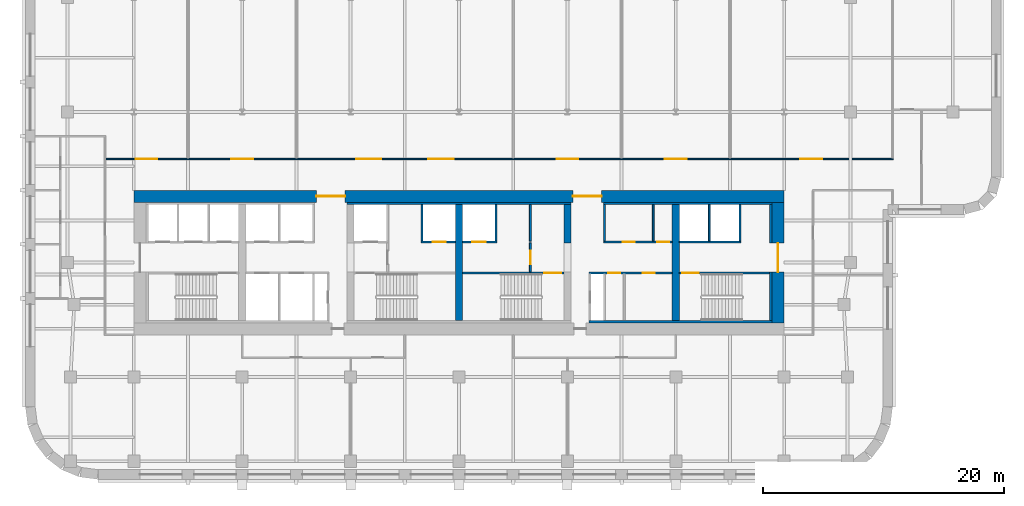
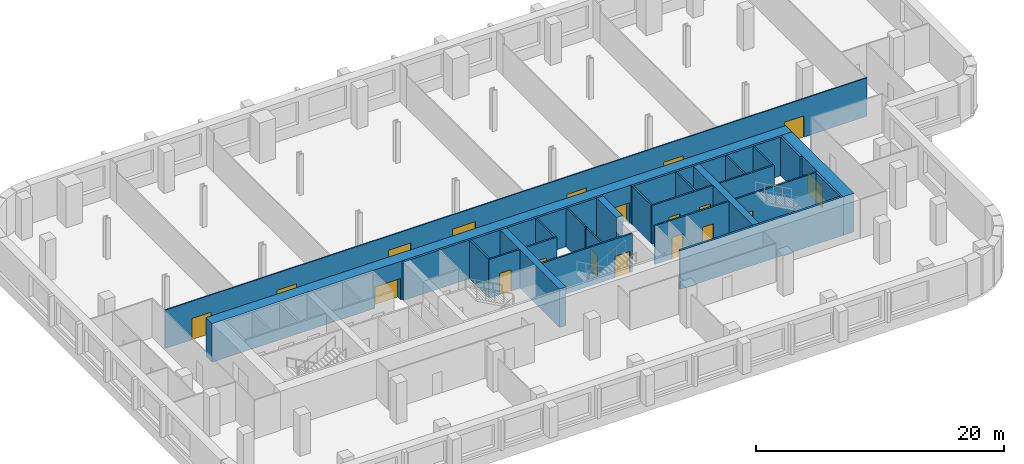
# One storey, part 5 of 9: 26 walls, 19 doors, 19 openings.
"""IFC4 building model written with IfcOpenShell, lengths in metres."""

from ifc_helpers import new_model, si_unit, direction, frame, frame_2d, origin, place, context, subcontext, project, spatial, rectangle, extrude, material, layer, layer_set, type_object, element, fill, save


model = new_model("IFC4")

# Units and contexts
model_context = context("Model", 3, precision=1e-05, world=origin(), true_north=direction((0.0, 1.0)))
body_context = subcontext(model_context, "Body", "Model", "MODEL_VIEW")
ifc_project = project(units=[si_unit("LENGTHUNIT", "METRE"), si_unit("AREAUNIT", "SQUARE_METRE"), si_unit("VOLUMEUNIT", "CUBIC_METRE"), si_unit("PLANEANGLEUNIT", "RADIAN"), si_unit("MASSUNIT", "GRAM", prefix="KILO")], contexts=[model_context])

# Site, building, storey
site_placement = place(None, origin())
site = spatial("IfcSite", under=ifc_project, at=site_placement, CompositionType="ELEMENT")
building_placement = place(site_placement, origin())
building = spatial("IfcBuilding", under=site, at=building_placement, Name="Zellij Exchange Tower", CompositionType="ELEMENT")
storey_placement = place(building_placement, frame((0.0, 0.0, 136.5)))
storey = spatial("IfcBuildingStorey", under=building, at=storey_placement, Name="L30", CompositionType="ELEMENT", Elevation=136.5)

# Walls
ifc_material_1 = material(Name="Concrete C70/85", Category="concrete")
ifc_layer_1 = layer(ifc_material_1, 0.60009765625)
ifc_layer_set_1 = layer_set([ifc_layer_1], Name="Concrete C70/85")
wall_type_1 = type_object("IfcWallType", Name="CORE-CW 600 C70/85", PredefinedType="SHEAR", material=ifc_layer_set_1)
wall_1_placement = place(storey_placement, frame((0.0, -12.800048828125, 0.0), z_axis=(0.0, 0.0, 1.0), x_axis=(0.0, 1.0, 0.0)))
element("IfcWall", 1, at=wall_1_placement, inside=storey, type_object=wall_type_1, Name="Core cross wall x 0 L30", PredefinedType="SHEAR", context=body_context, shape_type="SweptSolid", body=[
    extrude(rectangle(XDim=9.60009765625, YDim=0.60009765625, at=frame_2d((4.800048828125, 0.0))), origin(), (0.0, 0.0, 1.0), 3.800048828125),
])
wall_2_placement = place(storey_placement, frame((9.0, -6.375, 0.0), z_axis=(0.0, 0.0, 1.0), x_axis=(0.0, 1.0, 0.0)))
element("IfcWall", 2, at=wall_2_placement, inside=storey, type_object=wall_type_1, Name="Core cross wall pier x 9 b L30", PredefinedType="SHEAR", context=body_context, shape_type="SweptSolid", body=[
    extrude(rectangle(XDim=3.175048828125, YDim=0.60009765625, at=frame_2d((1.58740234375, 0.0))), origin(), (0.0, 0.0, 1.0), 3.800048828125),
])
wall_3_placement = place(storey_placement, frame((18.0, -12.800048828125, 0.0), z_axis=(0.0, 0.0, 1.0), x_axis=(0.0, 1.0, 0.0)))
element("IfcWall", 3, at=wall_3_placement, inside=storey, type_object=wall_type_1, Name="Core cross wall x 18 L30", PredefinedType="SHEAR", context=body_context, shape_type="SweptSolid", body=[
    extrude(rectangle(XDim=9.60009765625, YDim=0.60009765625, at=frame_2d((4.800048828125, 0.0))), origin(), (0.0, 0.0, 1.0), 3.800048828125),
])
ifc_material_2 = material(Name="Concrete C30/37", Category="concrete")
ifc_layer_2 = layer(ifc_material_2, 0.199951171875)
ifc_layer_set_2 = layer_set([ifc_layer_2], Name="Concrete C30/37")
wall_type_2 = type_object("IfcWallType", Name="CORE-LW 200 C30/37", PredefinedType="SHEAR", material=ifc_layer_set_2)
wall_4_placement = place(storey_placement, frame((-9.300048828125, -3.10009765625, 0.0), z_axis=(0.0, 0.0, 1.0), x_axis=(1.0, 0.0, 0.0)))
element("IfcWall", 4, at=wall_4_placement, inside=storey, type_object=wall_type_2, Name="Core wall lining front.1 L30", PredefinedType="SHEAR", context=body_context, shape_type="SweptSolid", body=[
    extrude(rectangle(XDim=18.60009765625, YDim=0.199951171875, at=frame_2d((9.300048828125, 0.0))), origin(), (0.0, 0.0, 1.0), 3.800048828125),
])
wall_5_placement = place(storey_placement, frame((12.0, -3.10009765625, 0.0), z_axis=(0.0, 0.0, 1.0), x_axis=(1.0, 0.0, 0.0)))
element("IfcWall", 5, at=wall_5_placement, inside=storey, type_object=wall_type_2, Name="Core wall lining front.2 L30", PredefinedType="SHEAR", context=body_context, shape_type="SweptSolid", body=[
    extrude(rectangle(XDim=14.0, YDim=0.199951171875, at=frame_2d((7.0, 0.0))), origin(), (0.0, 0.0, 1.0), 3.800048828125),
])
wall_6_placement = place(storey_placement, frame((10.800048828125, -12.89990234375, 0.0), z_axis=(0.0, 0.0, 1.0), x_axis=(1.0, 0.0, 0.0)))
element("IfcWall", 6, at=wall_6_placement, inside=storey, type_object=wall_type_2, Name="Core wall lining rear.2 L30", PredefinedType="SHEAR", context=body_context, shape_type="SweptSolid", body=[
    extrude(rectangle(XDim=15.199951171875, YDim=0.199951171875, at=frame_2d((7.60009765625, 0.0))), origin(), (0.0, 0.0, 1.0), 3.800048828125),
])
wall_7_placement = place(storey_placement, frame((25.89990234375, -12.800048828125, 0.0), z_axis=(0.0, 0.0, 1.0), x_axis=(0.0, 1.0, 0.0)))
element("IfcWall", 7, at=wall_7_placement, inside=storey, type_object=wall_type_2, Name="Core wall lining end e.0 L30", PredefinedType="SHEAR", context=body_context, shape_type="SweptSolid", body=[
    extrude(rectangle(XDim=4.0, YDim=0.199951171875, at=frame_2d((2.0, 0.0))), origin(), (0.0, 0.0, 1.0), 3.800048828125),
])
wall_8_placement = place(storey_placement, frame((25.89990234375, -6.375, 0.0), z_axis=(0.0, 0.0, 1.0), x_axis=(0.0, 1.0, 0.0)))
element("IfcWall", 8, at=wall_8_placement, inside=storey, type_object=wall_type_2, Name="Core wall lining end e.1 L30", PredefinedType="SHEAR", context=body_context, shape_type="SweptSolid", body=[
    extrude(rectangle(XDim=3.175048828125, YDim=0.199951171875, at=frame_2d((1.58740234375, 0.0))), origin(), (0.0, 0.0, 1.0), 3.800048828125),
])

# Wall, opening, door
ifc_material_3 = material(Name="Gypsum shaft wall system")
ifc_layer_3 = layer(ifc_material_3, 0.14990234375)
ifc_layer_set_3 = layer_set([ifc_layer_3], Name="Gypsum shaft wall system")
wall_type_3 = type_object("IfcWallType", Name="CORE-PW 150 Firefighting lobby wall", PredefinedType="PARTITIONING", material=ifc_layer_set_3)
wall_9_placement = place(storey_placement, frame((5.925048828125, -8.800048828125, 0.0), z_axis=(0.0, 0.0, 1.0), x_axis=(0.0, 1.0, 0.0)))
wall_9 = element("IfcWall", 9, at=wall_9_placement, inside=storey, type_object=wall_type_3, Name="Firefighting lobby wall L30", PredefinedType="PARTITIONING", context=body_context, shape_type="SweptSolid", body=[
    extrude(rectangle(XDim=2.425048828125, YDim=0.14990234375, at=frame_2d((1.21240234375, 0.0))), origin(), (0.0, 0.0, 1.0), 3.800048828125),
])
opening_1_placement = place(wall_9_placement, frame((0.662109375, 0.0, 0.0)))
opening_1 = element("IfcOpeningElement", 10, at=opening_1_placement, cuts=wall_9, Name="Opening CA-16.18", PredefinedType="OPENING", context=body_context, shape_type="SweptSolid", body=[
    extrude(rectangle(XDim=1.10009765625, YDim=2.10009765625, at=frame_2d((0.550048828125, 1.050048828125))), frame((0.0, 0.0869140625, 0.0), z_axis=(0.0, -1.0, 0.0), x_axis=(1.0, 0.0, 0.0)), (0.0, 0.0, 1.0), 0.173828125),
])
ifc_material_4 = material(Name="Hollow metal fire door")
door_type_1 = type_object("IfcDoorType", Name="CORE-D F Firefighting lobby door 1100x2100 1 HR", OperationType="NOTDEFINED", PredefinedType="DOOR", material=ifc_material_4)
door_1_placement = place(opening_1_placement, origin())
door_1 = element("IfcDoor", 11, at=door_1_placement, inside=storey, type_object=door_type_1, Name="Firefighting lobby door CA-16.18", OperationType="SINGLE_SWING_RIGHT", OverallHeight=2.10009765625, OverallWidth=1.10009765625, PredefinedType="DOOR", context=body_context, shape_type="SweptSolid", body=[
    extrude(rectangle(XDim=1.10009765625, YDim=2.10009765625, at=frame_2d((0.550048828125, 1.050048828125))), frame((0.0, 0.02490234375, 0.0), z_axis=(0.0, -1.0, 0.0), x_axis=(1.0, 0.0, 0.0)), (0.0, 0.0, 1.0), 0.050048828125),
])
fill(opening_1, door_1)

# Walls
ifc_material_5 = material(Name="Gypsum board partition")
ifc_layer_4 = layer(ifc_material_5, 0.14990234375)
ifc_layer_set_4 = layer_set([ifc_layer_4], Name="Gypsum board partition")
wall_type_4 = type_object("IfcWallType", Name="CORE-PW 150 Lift lobby wall", PredefinedType="PARTITIONING", material=ifc_layer_set_4)
for number, where, z_axis, x_axis, name in (
    (12, (5.925048828125, -6.22509765625, 0.0), (0.0, 0.0, 1.0), (0.0, 1.0, 0.0), "Lift lobby wall L30"),
    (13, (12.074951171875, -6.22509765625, 0.0), (0.0, 0.0, 1.0), (0.0, 1.0, 0.0), "Lift lobby wall L30"),
    (14, (16.125, -6.22509765625, 0.0), (0.0, 0.0, 1.0), (0.0, 1.0, 0.0), "Lift lobby wall L30"),
):
    element("IfcWall", number, at=place(storey_placement, frame(where, z_axis=z_axis, x_axis=x_axis)), inside=storey, type_object=wall_type_4, Name=name, PredefinedType="PARTITIONING", context=body_context, shape_type="SweptSolid", body=[
        extrude(rectangle(XDim=3.025146484375, YDim=0.14990234375, at=frame_2d((1.5126953125, 0.0))), origin(), (0.0, 0.0, 1.0), 3.800048828125),
    ])

# Wall, openings, doors
wall_10_placement = place(storey_placement, frame((12.0, -6.300048828125, 0.0), z_axis=(0.0, 0.0, 1.0), x_axis=(1.0, 0.0, 0.0)))
wall_10 = element("IfcWall", 15, at=wall_10_placement, inside=storey, type_object=wall_type_4, Name="Lift lobby wall L30", PredefinedType="PARTITIONING", context=body_context, shape_type="SweptSolid", body=[
    extrude(rectangle(XDim=5.699951171875, YDim=0.14990234375, at=frame_2d((2.85009765625, 0.0))), origin(), (0.0, 0.0, 1.0), 3.800048828125),
])
opening_2_placement = place(wall_10_placement, frame((1.60009765625, 0.0, 0.0)))
opening_2 = element("IfcOpeningElement", 16, at=opening_2_placement, cuts=wall_10, Name="Opening CA-16.24", PredefinedType="OPENING", context=body_context, shape_type="SweptSolid", body=[
    extrude(rectangle(XDim=1.0, YDim=2.10009765625, at=frame_2d((0.5, 1.050048828125))), frame((0.0, 0.0869140625, 0.0), z_axis=(0.0, -1.0, 0.0), x_axis=(1.0, 0.0, 0.0)), (0.0, 0.0, 1.0), 0.173828125),
])
opening_3_placement = place(wall_10_placement, frame((4.449951171875, 0.0, 0.0)))
opening_3 = element("IfcOpeningElement", 17, at=opening_3_placement, cuts=wall_10, Name="Opening CA-16.26", PredefinedType="OPENING", context=body_context, shape_type="SweptSolid", body=[
    extrude(rectangle(XDim=1.0, YDim=2.10009765625, at=frame_2d((0.5, 1.050048828125))), frame((0.0, 0.0869140625, 0.0), z_axis=(0.0, -1.0, 0.0), x_axis=(1.0, 0.0, 0.0)), (0.0, 0.0, 1.0), 0.173828125),
])
door_type_2 = type_object("IfcDoorType", Name="CORE-D CD Core room door 1000x2100 1 HR", OperationType="NOTDEFINED", PredefinedType="DOOR", material=ifc_material_4)
door_2_placement = place(opening_2_placement, origin())
door_2 = element("IfcDoor", 18, at=door_2_placement, inside=storey, type_object=door_type_2, Name="Core room door CA-16.24", OperationType="SINGLE_SWING_LEFT", OverallHeight=2.10009765625, OverallWidth=1.0, PredefinedType="DOOR", context=body_context, shape_type="SweptSolid", body=[
    extrude(rectangle(XDim=1.0, YDim=2.10009765625, at=frame_2d((0.5, 1.050048828125))), frame((0.0, 0.02490234375, 0.0), z_axis=(0.0, -1.0, 0.0), x_axis=(1.0, 0.0, 0.0)), (0.0, 0.0, 1.0), 0.050048828125),
])
fill(opening_2, door_2)
door_3_placement = place(opening_3_placement, origin())
door_3 = element("IfcDoor", 19, at=door_3_placement, inside=storey, type_object=door_type_2, Name="Core room door CA-16.26", OperationType="SINGLE_SWING_RIGHT", OverallHeight=2.10009765625, OverallWidth=1.0, PredefinedType="DOOR", context=body_context, shape_type="SweptSolid", body=[
    extrude(rectangle(XDim=1.0, YDim=2.10009765625, at=frame_2d((0.5, 1.050048828125))), frame((0.0, 0.02490234375, 0.0), z_axis=(0.0, -1.0, 0.0), x_axis=(1.0, 0.0, 0.0)), (0.0, 0.0, 1.0), 0.050048828125),
])
fill(opening_3, door_3)

wall_11_placement = place(storey_placement, frame((10.800048828125, -8.875, 0.0), z_axis=(0.0, 0.0, 1.0), x_axis=(1.0, 0.0, 0.0)))
wall_11 = element("IfcWall", 20, at=wall_11_placement, inside=storey, type_object=wall_type_4, Name="Lift lobby wall L30", PredefinedType="PARTITIONING", context=body_context, shape_type="SweptSolid", body=[
    extrude(rectangle(XDim=6.89990234375, YDim=0.14990234375, at=frame_2d((3.449951171875, 0.0))), origin(), (0.0, 0.0, 1.0), 3.800048828125),
])
opening_4_placement = place(wall_11_placement, frame((1.60009765625, 0.0, 0.0)))
opening_4 = element("IfcOpeningElement", 21, at=opening_4_placement, cuts=wall_11, Name="Opening CA-16.23", PredefinedType="OPENING", context=body_context, shape_type="SweptSolid", body=[
    extrude(rectangle(XDim=1.0, YDim=2.10009765625, at=frame_2d((0.5, 1.050048828125))), frame((0.0, 0.0869140625, 0.0), z_axis=(0.0, -1.0, 0.0), x_axis=(1.0, 0.0, 0.0)), (0.0, 0.0, 1.0), 0.173828125),
])
opening_5_placement = place(wall_11_placement, frame((4.449951171875, 0.0, 0.0)))
opening_5 = element("IfcOpeningElement", 22, at=opening_5_placement, cuts=wall_11, Name="Opening CA-16.25", PredefinedType="OPENING", context=body_context, shape_type="SweptSolid", body=[
    extrude(rectangle(XDim=1.0, YDim=2.10009765625, at=frame_2d((0.5, 1.050048828125))), frame((0.0, 0.0869140625, 0.0), z_axis=(0.0, -1.0, 0.0), x_axis=(1.0, 0.0, 0.0)), (0.0, 0.0, 1.0), 0.173828125),
])
door_4_placement = place(opening_4_placement, origin())
door_4 = element("IfcDoor", 23, at=door_4_placement, inside=storey, type_object=door_type_2, Name="Core room door CA-16.23", OperationType="SINGLE_SWING_RIGHT", OverallHeight=2.10009765625, OverallWidth=1.0, PredefinedType="DOOR", context=body_context, shape_type="SweptSolid", body=[
    extrude(rectangle(XDim=1.0, YDim=2.10009765625, at=frame_2d((0.5, 1.050048828125))), frame((0.0, 0.02490234375, 0.0), z_axis=(0.0, -1.0, 0.0), x_axis=(1.0, 0.0, 0.0)), (0.0, 0.0, 1.0), 0.050048828125),
])
fill(opening_4, door_4)
door_5_placement = place(opening_5_placement, origin())
door_5 = element("IfcDoor", 24, at=door_5_placement, inside=storey, type_object=door_type_2, Name="Core room door CA-16.25", OperationType="SINGLE_SWING_LEFT", OverallHeight=2.10009765625, OverallWidth=1.0, PredefinedType="DOOR", context=body_context, shape_type="SweptSolid", body=[
    extrude(rectangle(XDim=1.0, YDim=2.10009765625, at=frame_2d((0.5, 1.050048828125))), frame((0.0, 0.02490234375, 0.0), z_axis=(0.0, -1.0, 0.0), x_axis=(1.0, 0.0, 0.0)), (0.0, 0.0, 1.0), 0.050048828125),
])
fill(opening_5, door_5)

# Walls
ifc_layer_5 = layer(ifc_material_3, 0.14990234375)
ifc_layer_set_5 = layer_set([ifc_layer_5], Name="Gypsum shaft wall system")
wall_type_5 = type_object("IfcWallType", Name="CORE-PW 150 Lift shaft wall", PredefinedType="PARTITIONING", material=ifc_layer_set_5)
for number, where, z_axis, x_axis, name in (
    (25, (-3.074951171875, -6.22509765625, 0.0), (0.0, 0.0, 1.0), (0.0, 1.0, 0.0), "Lift shaft wall L30"),
    (26, (3.074951171875, -6.22509765625, 0.0), (0.0, 0.0, 1.0), (0.0, 1.0, 0.0), "Lift shaft wall L30"),
    (27, (20.77490234375, -6.22509765625, 0.0), (0.0, 0.0, 1.0), (0.0, 1.0, 0.0), "Lift shaft wall L30"),
    (28, (23.324951171875, -6.22509765625, 0.0), (0.0, 0.0, 1.0), (0.0, 1.0, 0.0), "Lift shaft wall L30"),
):
    element("IfcWall", number, at=place(storey_placement, frame(where, z_axis=z_axis, x_axis=x_axis)), inside=storey, type_object=wall_type_5, Name=name, PredefinedType="PARTITIONING", context=body_context, shape_type="SweptSolid", body=[
        extrude(rectangle(XDim=3.025146484375, YDim=0.14990234375, at=frame_2d((1.5126953125, 0.0))), origin(), (0.0, 0.0, 1.0), 3.800048828125),
    ])

# Wall, opening, door
wall_12_placement = place(storey_placement, frame((-3.14990234375, -6.300048828125, 0.0), z_axis=(0.0, 0.0, 1.0), x_axis=(1.0, 0.0, 0.0)))
wall_12 = element("IfcWall", 29, at=wall_12_placement, inside=storey, type_object=wall_type_5, Name="Lift shaft wall L30", PredefinedType="PARTITIONING", context=body_context, shape_type="SweptSolid", body=[
    extrude(rectangle(XDim=2.849853515625, YDim=0.14990234375, at=frame_2d((1.4248046875, 0.0))), origin(), (0.0, 0.0, 1.0), 3.800048828125),
])
opening_6_placement = place(wall_12_placement, frame((0.949951171875, 0.0, 0.0)))
opening_6 = element("IfcOpeningElement", 30, at=opening_6_placement, cuts=wall_12, Name="Opening CA-16.16", PredefinedType="OPENING", context=body_context, shape_type="SweptSolid", body=[
    extrude(rectangle(XDim=1.10009765625, YDim=2.10009765625, at=frame_2d((0.550048828125, 1.050048828125))), frame((0.0, 0.0869140625, 0.0), z_axis=(0.0, -1.0, 0.0), x_axis=(1.0, 0.0, 0.0)), (0.0, 0.0, 1.0), 0.173828125),
])
door_type_3 = type_object("IfcDoorType", Name="CORE-D LD Lift landing door 1100x2100 1.5 HR", OperationType="NOTDEFINED", PredefinedType="DOOR", material=ifc_material_4)
door_6_placement = place(opening_6_placement, origin())
door_6 = element("IfcDoor", 31, at=door_6_placement, inside=storey, type_object=door_type_3, Name="Lift landing door CA-16.16", OperationType="SLIDING_TO_RIGHT", OverallHeight=2.10009765625, OverallWidth=1.10009765625, PredefinedType="DOOR", context=body_context, shape_type="SweptSolid", body=[
    extrude(rectangle(XDim=1.10009765625, YDim=2.10009765625, at=frame_2d((0.550048828125, 1.050048828125))), frame((0.0, 0.02490234375, 0.0), z_axis=(0.0, -1.0, 0.0), x_axis=(1.0, 0.0, 0.0)), (0.0, 0.0, 1.0), 0.050048828125),
])
fill(opening_6, door_6)

wall_13_placement = place(storey_placement, frame((0.300048828125, -6.300048828125, 0.0), z_axis=(0.0, 0.0, 1.0), x_axis=(1.0, 0.0, 0.0)))
wall_13 = element("IfcWall", 32, at=wall_13_placement, inside=storey, type_object=wall_type_5, Name="Lift shaft wall L30", PredefinedType="PARTITIONING", context=body_context, shape_type="SweptSolid", body=[
    extrude(rectangle(XDim=2.849853515625, YDim=0.14990234375, at=frame_2d((1.4248046875, 0.0))), origin(), (0.0, 0.0, 1.0), 3.800048828125),
])
opening_7_placement = place(wall_13_placement, frame((0.800048828125, 0.0, 0.0)))
opening_7 = element("IfcOpeningElement", 33, at=opening_7_placement, cuts=wall_13, Name="Opening CA-16.17", PredefinedType="OPENING", context=body_context, shape_type="SweptSolid", body=[
    extrude(rectangle(XDim=1.10009765625, YDim=2.10009765625, at=frame_2d((0.550048828125, 1.050048828125))), frame((0.0, 0.0869140625, 0.0), z_axis=(0.0, -1.0, 0.0), x_axis=(1.0, 0.0, 0.0)), (0.0, 0.0, 1.0), 0.173828125),
])
door_7_placement = place(opening_7_placement, origin())
door_7 = element("IfcDoor", 34, at=door_7_placement, inside=storey, type_object=door_type_3, Name="Lift landing door CA-16.17", OperationType="SLIDING_TO_LEFT", OverallHeight=2.10009765625, OverallWidth=1.10009765625, PredefinedType="DOOR", context=body_context, shape_type="SweptSolid", body=[
    extrude(rectangle(XDim=1.10009765625, YDim=2.10009765625, at=frame_2d((0.550048828125, 1.050048828125))), frame((0.0, 0.02490234375, 0.0), z_axis=(0.0, -1.0, 0.0), x_axis=(1.0, 0.0, 0.0)), (0.0, 0.0, 1.0), 0.050048828125),
])
fill(opening_7, door_7)

# Wall
wall_14_placement = place(storey_placement, frame((18.300048828125, -6.300048828125, 0.0), z_axis=(0.0, 0.0, 1.0), x_axis=(1.0, 0.0, 0.0)))
element("IfcWall", 35, at=wall_14_placement, inside=storey, type_object=wall_type_5, Name="Lift shaft wall L30", PredefinedType="PARTITIONING", context=body_context, shape_type="SweptSolid", body=[
    extrude(rectangle(XDim=5.099853515625, YDim=0.14990234375, at=frame_2d((2.5498046875, 0.0))), origin(), (0.0, 0.0, 1.0), 3.800048828125),
])

# Wall, openings, doors
ifc_layer_6 = layer(ifc_material_1, 1.0)
ifc_layer_set_6 = layer_set([ifc_layer_6], Name="Concrete C70/85")
wall_type_6 = type_object("IfcWallType", Name="CORE-SW 1000 C70/85", PredefinedType="SHEAR", material=ifc_layer_set_6)
wall_15_placement = place(storey_placement, frame((-27.0, -2.5, 0.0), z_axis=(0.0, 0.0, 1.0), x_axis=(1.0, 0.0, 0.0)))
wall_15 = element("IfcWall", 36, at=wall_15_placement, inside=storey, type_object=wall_type_6, Name="Core shear wall front L30", PredefinedType="SHEAR", context=body_context, shape_type="SweptSolid", body=[
    extrude(rectangle(XDim=54.0, YDim=1.0, at=frame_2d((27.0, 0.0))), origin(), (0.0, 0.0, 1.0), 3.800048828125),
])
opening_8_placement = place(wall_15_placement, frame((15.14990234375, 0.0, 0.0)))
opening_8 = element("IfcOpeningElement", 37, at=opening_8_placement, cuts=wall_15, Name="Opening CA-16.11", PredefinedType="OPENING", context=body_context, shape_type="SweptSolid", body=[
    extrude(rectangle(XDim=2.39990234375, YDim=2.10009765625, at=frame_2d((1.199951171875, 1.050048828125))), frame((0.0, 0.511962890625, 0.0), z_axis=(0.0, -1.0, 0.0), x_axis=(1.0, 0.0, 0.0)), (0.0, 0.0, 1.0), 1.02392578125),
])
opening_9_placement = place(wall_15_placement, frame((36.449951171875, 0.0, 0.0)))
opening_9 = element("IfcOpeningElement", 38, at=opening_9_placement, cuts=wall_15, Name="Opening CA-16.21", PredefinedType="OPENING", context=body_context, shape_type="SweptSolid", body=[
    extrude(rectangle(XDim=2.39990234375, YDim=2.10009765625, at=frame_2d((1.199951171875, 1.050048828125))), frame((0.0, 0.511962890625, 0.0), z_axis=(0.0, -1.0, 0.0), x_axis=(1.0, 0.0, 0.0)), (0.0, 0.0, 1.0), 1.02392578125),
])
door_type_4 = type_object("IfcDoorType", Name="CORE-D CE Core entrance door 2400x2100 20 MIN", OperationType="NOTDEFINED", PredefinedType="DOOR", material=ifc_material_4)
door_8_placement = place(opening_8_placement, origin())
door_8 = element("IfcDoor", 39, at=door_8_placement, inside=storey, type_object=door_type_4, Name="Core entrance door CA-16.11", OperationType="DOUBLE_DOOR_SINGLE_SWING", OverallHeight=2.10009765625, OverallWidth=2.39990234375, PredefinedType="DOOR", context=body_context, shape_type="SweptSolid", body=[
    extrude(rectangle(XDim=2.39990234375, YDim=2.10009765625, at=frame_2d((1.199951171875, 1.050048828125))), frame((0.0, 0.02490234375, 0.0), z_axis=(0.0, -1.0, 0.0), x_axis=(1.0, 0.0, 0.0)), (0.0, 0.0, 1.0), 0.050048828125),
])
fill(opening_8, door_8)
door_9_placement = place(opening_9_placement, origin())
door_9 = element("IfcDoor", 40, at=door_9_placement, inside=storey, type_object=door_type_4, Name="Core entrance door CA-16.21", OperationType="DOUBLE_DOOR_SINGLE_SWING", OverallHeight=2.10009765625, OverallWidth=2.39990234375, PredefinedType="DOOR", context=body_context, shape_type="SweptSolid", body=[
    extrude(rectangle(XDim=2.39990234375, YDim=2.10009765625, at=frame_2d((1.199951171875, 1.050048828125))), frame((0.0, 0.02490234375, 0.0), z_axis=(0.0, -1.0, 0.0), x_axis=(1.0, 0.0, 0.0)), (0.0, 0.0, 1.0), 0.050048828125),
])
fill(opening_9, door_9)

# Wall, opening, door
wall_16_placement = place(storey_placement, frame((26.5, -13.0, 0.0), z_axis=(0.0, 0.0, 1.0), x_axis=(0.0, 1.0, 0.0)))
wall_16 = element("IfcWall", 41, at=wall_16_placement, inside=storey, type_object=wall_type_6, Name="Core shear wall end e L30", PredefinedType="SHEAR", context=body_context, shape_type="SweptSolid", body=[
    extrude(rectangle(XDim=10.0, YDim=1.0, at=frame_2d((5.0, 0.0))), origin(), (0.0, 0.0, 1.0), 3.800048828125),
])
opening_10_placement = place(wall_16_placement, frame((4.2119140625, 0.0, 0.0)))
opening_10 = element("IfcOpeningElement", 42, at=opening_10_placement, cuts=wall_16, Name="Opening CA-16.28", PredefinedType="OPENING", context=body_context, shape_type="SweptSolid", body=[
    extrude(rectangle(XDim=2.39990234375, YDim=2.10009765625, at=frame_2d((1.199951171875, 1.050048828125))), frame((0.0, 0.511962890625, 0.0), z_axis=(0.0, -1.0, 0.0), x_axis=(1.0, 0.0, 0.0)), (0.0, 0.0, 1.0), 1.02392578125),
])
door_10_placement = place(opening_10_placement, origin())
door_10 = element("IfcDoor", 43, at=door_10_placement, inside=storey, type_object=door_type_4, Name="Core entrance door CA-16.28", OperationType="DOUBLE_DOOR_SINGLE_SWING", OverallHeight=2.10009765625, OverallWidth=2.39990234375, PredefinedType="DOOR", context=body_context, shape_type="SweptSolid", body=[
    extrude(rectangle(XDim=2.39990234375, YDim=2.10009765625, at=frame_2d((1.199951171875, 1.050048828125))), frame((0.0, 0.02490234375, 0.0), z_axis=(0.0, -1.0, 0.0), x_axis=(1.0, 0.0, 0.0)), (0.0, 0.0, 1.0), 0.050048828125),
])
fill(opening_10, door_10)

ifc_layer_7 = layer(ifc_material_1, 0.14990234375)
ifc_layer_set_7 = layer_set([ifc_layer_7], Name="Concrete C70/85")
wall_type_7 = type_object("IfcWallType", Name="CORE-SWS 150 C70/85", PredefinedType="SHEAR", material=ifc_layer_set_7)
wall_17_placement = place(storey_placement, frame((0.300048828125, -8.875, 0.0), z_axis=(0.0, 0.0, 1.0), x_axis=(1.0, 0.0, 0.0)))
wall_17 = element("IfcWall", 44, at=wall_17_placement, inside=storey, type_object=wall_type_7, Name="Stair enclosure wall L30", PredefinedType="SHEAR", context=body_context, shape_type="SweptSolid", body=[
    extrude(rectangle(XDim=8.39990234375, YDim=0.14990234375, at=frame_2d((4.199951171875, 0.0))), origin(), (0.0, 0.0, 1.0), 3.800048828125),
])
opening_11_placement = place(wall_17_placement, frame((6.77490234375, 0.0, 0.0)))
opening_11 = element("IfcOpeningElement", 45, at=opening_11_placement, cuts=wall_17, Name="Opening CA-16.19", PredefinedType="OPENING", context=body_context, shape_type="SweptSolid", body=[
    extrude(rectangle(XDim=1.39990234375, YDim=2.10009765625, at=frame_2d((0.699951171875, 1.050048828125))), frame((0.0, 0.0869140625, 0.0), z_axis=(0.0, -1.0, 0.0), x_axis=(1.0, 0.0, 0.0)), (0.0, 0.0, 1.0), 0.173828125),
])
door_type_5 = type_object("IfcDoorType", Name="CORE-D SD Stair door 1400x2100 1.5 HR", OperationType="NOTDEFINED", PredefinedType="DOOR", material=ifc_material_4)
door_11_placement = place(opening_11_placement, origin())
door_11 = element("IfcDoor", 46, at=door_11_placement, inside=storey, type_object=door_type_5, Name="Stair door CA-16.19", OperationType="DOUBLE_DOOR_SINGLE_SWING", OverallHeight=2.10009765625, OverallWidth=1.39990234375, PredefinedType="DOOR", context=body_context, shape_type="SweptSolid", body=[
    extrude(rectangle(XDim=1.39990234375, YDim=2.10009765625, at=frame_2d((0.699951171875, 1.050048828125))), frame((0.0, 0.02490234375, 0.0), z_axis=(0.0, -1.0, 0.0), x_axis=(1.0, 0.0, 0.0)), (0.0, 0.0, 1.0), 0.050048828125),
])
fill(opening_11, door_11)

wall_18_placement = place(storey_placement, frame((18.300048828125, -8.875, 0.0), z_axis=(0.0, 0.0, 1.0), x_axis=(1.0, 0.0, 0.0)))
wall_18 = element("IfcWall", 47, at=wall_18_placement, inside=storey, type_object=wall_type_7, Name="Stair enclosure wall L30", PredefinedType="SHEAR", context=body_context, shape_type="SweptSolid", body=[
    extrude(rectangle(XDim=7.5, YDim=0.14990234375, at=frame_2d((3.75, 0.0))), origin(), (0.0, 0.0, 1.0), 3.800048828125),
])
opening_12_placement = place(wall_18_placement, frame((0.22509765625, 0.0, 0.0)))
opening_12 = element("IfcOpeningElement", 48, at=opening_12_placement, cuts=wall_18, Name="Opening CA-16.27", PredefinedType="OPENING", context=body_context, shape_type="SweptSolid", body=[
    extrude(rectangle(XDim=1.39990234375, YDim=2.10009765625, at=frame_2d((0.699951171875, 1.050048828125))), frame((0.0, 0.0869140625, 0.0), z_axis=(0.0, -1.0, 0.0), x_axis=(1.0, 0.0, 0.0)), (0.0, 0.0, 1.0), 0.173828125),
])
door_12_placement = place(opening_12_placement, origin())
door_12 = element("IfcDoor", 49, at=door_12_placement, inside=storey, type_object=door_type_5, Name="Stair door CA-16.27", OperationType="DOUBLE_DOOR_SINGLE_SWING", OverallHeight=2.10009765625, OverallWidth=1.39990234375, PredefinedType="DOOR", context=body_context, shape_type="SweptSolid", body=[
    extrude(rectangle(XDim=1.39990234375, YDim=2.10009765625, at=frame_2d((0.699951171875, 1.050048828125))), frame((0.0, 0.02490234375, 0.0), z_axis=(0.0, -1.0, 0.0), x_axis=(1.0, 0.0, 0.0)), (0.0, 0.0, 1.0), 0.050048828125),
])
fill(opening_12, door_12)

# Wall, openings, doors
ifc_material_6 = material(Name="Gypsum board partition on steel studs", Category="steel")
ifc_layer_8 = layer(ifc_material_6, 0.10009765625)
ifc_layer_set_8 = layer_set([ifc_layer_8], Name="Gypsum board partition on steel studs")
wall_type_8 = type_object("IfcWallType", Name="FIT-PARTITION-100", PredefinedType="PARTITIONING", material=ifc_layer_set_8)
wall_19_placement = place(storey_placement, frame((-29.35009765625, 0.60009765625, 0.0), z_axis=(0.0, 0.0, 1.0), x_axis=(1.0, 0.0, 0.0)))
wall_19 = element("IfcWall", 50, at=wall_19_placement, inside=storey, type_object=wall_type_8, Name="FIT-PARTITION-100 024", PredefinedType="PARTITIONING", context=body_context, shape_type="SweptSolid", body=[
    extrude(rectangle(XDim=65.400146484375, YDim=0.10009765625, at=frame_2d((32.7001953125, 0.0))), origin(), (0.0, 0.0, 1.0), 3.800048828125),
])
opening_13_placement = place(wall_19_placement, frame((2.5, 0.0, 0.0)))
opening_13 = element("IfcOpeningElement", 51, at=opening_13_placement, cuts=wall_19, Name="Opening TG.09", PredefinedType="OPENING", context=body_context, shape_type="SweptSolid", body=[
    extrude(rectangle(XDim=1.800048828125, YDim=2.10009765625, at=frame_2d((0.89990234375, 1.050048828125))), frame((0.0, 0.06201171875, 0.0), z_axis=(0.0, -1.0, 0.0), x_axis=(1.0, 0.0, 0.0)), (0.0, 0.0, 1.0), 0.1240234375),
])
opening_14_placement = place(wall_19_placement, frame((10.449951171875, 0.0, 0.0)))
opening_14 = element("IfcOpeningElement", 52, at=opening_14_placement, cuts=wall_19, Name="Opening TG.10", PredefinedType="OPENING", context=body_context, shape_type="SweptSolid", body=[
    extrude(rectangle(XDim=1.800048828125, YDim=2.10009765625, at=frame_2d((0.89990234375, 1.050048828125))), frame((0.0, 0.06201171875, 0.0), z_axis=(0.0, -1.0, 0.0), x_axis=(1.0, 0.0, 0.0)), (0.0, 0.0, 1.0), 0.1240234375),
])
opening_15_placement = place(wall_19_placement, frame((20.800048828125, 0.0, 0.0)))
opening_15 = element("IfcOpeningElement", 53, at=opening_15_placement, cuts=wall_19, Name="Opening TG.11", PredefinedType="OPENING", context=body_context, shape_type="SweptSolid", body=[
    extrude(rectangle(XDim=2.10009765625, YDim=2.39990234375, at=frame_2d((1.050048828125, 1.199951171875))), frame((0.0, 0.06201171875, 0.0), z_axis=(0.0, -1.0, 0.0), x_axis=(1.0, 0.0, 0.0)), (0.0, 0.0, 1.0), 0.1240234375),
])
opening_16_placement = place(wall_19_placement, frame((26.800048828125, 0.0, 0.0)))
opening_16 = element("IfcOpeningElement", 54, at=opening_16_placement, cuts=wall_19, Name="Opening TG.12", PredefinedType="OPENING", context=body_context, shape_type="SweptSolid", body=[
    extrude(rectangle(XDim=2.10009765625, YDim=2.39990234375, at=frame_2d((1.050048828125, 1.199951171875))), frame((0.0, 0.06201171875, 0.0), z_axis=(0.0, -1.0, 0.0), x_axis=(1.0, 0.0, 0.0)), (0.0, 0.0, 1.0), 0.1240234375),
])
opening_17_placement = place(wall_19_placement, frame((37.449951171875, 0.0, 0.0)))
opening_17 = element("IfcOpeningElement", 55, at=opening_17_placement, cuts=wall_19, Name="Opening TG.13", PredefinedType="OPENING", context=body_context, shape_type="SweptSolid", body=[
    extrude(rectangle(XDim=1.800048828125, YDim=2.10009765625, at=frame_2d((0.89990234375, 1.050048828125))), frame((0.0, 0.06201171875, 0.0), z_axis=(0.0, -1.0, 0.0), x_axis=(1.0, 0.0, 0.0)), (0.0, 0.0, 1.0), 0.1240234375),
])
opening_18_placement = place(wall_19_placement, frame((46.449951171875, 0.0, 0.0)))
opening_18 = element("IfcOpeningElement", 56, at=opening_18_placement, cuts=wall_19, Name="Opening TG.14", PredefinedType="OPENING", context=body_context, shape_type="SweptSolid", body=[
    extrude(rectangle(XDim=1.800048828125, YDim=2.10009765625, at=frame_2d((0.89990234375, 1.050048828125))), frame((0.0, 0.06201171875, 0.0), z_axis=(0.0, -1.0, 0.0), x_axis=(1.0, 0.0, 0.0)), (0.0, 0.0, 1.0), 0.1240234375),
])
opening_19_placement = place(wall_19_placement, frame((57.699951171875, 0.0, 0.0)))
opening_19 = element("IfcOpeningElement", 57, at=opening_19_placement, cuts=wall_19, Name="Opening TG.15", PredefinedType="OPENING", context=body_context, shape_type="SweptSolid", body=[
    extrude(rectangle(XDim=1.800048828125, YDim=2.10009765625, at=frame_2d((0.89990234375, 1.050048828125))), frame((0.0, 0.06201171875, 0.0), z_axis=(0.0, -1.0, 0.0), x_axis=(1.0, 0.0, 0.0)), (0.0, 0.0, 1.0), 0.1240234375),
])
ifc_material_7 = material(Name="Timber door set", Category="wood")
door_type_6 = type_object("IfcDoorType", Name="FIT-D3-DOUBLE-1800X2100", OperationType="DOUBLE_DOOR_SINGLE_SWING", PredefinedType="DOOR", material=ifc_material_7)
door_13_placement = place(opening_13_placement, origin())
door_13 = element("IfcDoor", 58, at=door_13_placement, inside=storey, type_object=door_type_6, Name="Door TG.09", OperationType="DOUBLE_DOOR_SINGLE_SWING", OverallHeight=2.10009765625, OverallWidth=1.800048828125, PredefinedType="DOOR", context=body_context, shape_type="SweptSolid", body=[
    extrude(rectangle(XDim=1.800048828125, YDim=2.10009765625, at=frame_2d((0.89990234375, 1.050048828125))), frame((0.0, 0.02490234375, 0.0), z_axis=(0.0, -1.0, 0.0), x_axis=(1.0, 0.0, 0.0)), (0.0, 0.0, 1.0), 0.050048828125),
])
fill(opening_13, door_13)
door_14_placement = place(opening_14_placement, origin())
door_14 = element("IfcDoor", 59, at=door_14_placement, inside=storey, type_object=door_type_6, Name="Door TG.10", OperationType="DOUBLE_DOOR_SINGLE_SWING", OverallHeight=2.10009765625, OverallWidth=1.800048828125, PredefinedType="DOOR", context=body_context, shape_type="SweptSolid", body=[
    extrude(rectangle(XDim=1.800048828125, YDim=2.10009765625, at=frame_2d((0.89990234375, 1.050048828125))), frame((0.0, 0.02490234375, 0.0), z_axis=(0.0, -1.0, 0.0), x_axis=(1.0, 0.0, 0.0)), (0.0, 0.0, 1.0), 0.050048828125),
])
fill(opening_14, door_14)
door_15_placement = place(opening_17_placement, origin())
door_15 = element("IfcDoor", 60, at=door_15_placement, inside=storey, type_object=door_type_6, Name="Door TG.13", OperationType="DOUBLE_DOOR_SINGLE_SWING", OverallHeight=2.10009765625, OverallWidth=1.800048828125, PredefinedType="DOOR", context=body_context, shape_type="SweptSolid", body=[
    extrude(rectangle(XDim=1.800048828125, YDim=2.10009765625, at=frame_2d((0.89990234375, 1.050048828125))), frame((0.0, 0.02490234375, 0.0), z_axis=(0.0, -1.0, 0.0), x_axis=(1.0, 0.0, 0.0)), (0.0, 0.0, 1.0), 0.050048828125),
])
fill(opening_17, door_15)
door_16_placement = place(opening_18_placement, origin())
door_16 = element("IfcDoor", 61, at=door_16_placement, inside=storey, type_object=door_type_6, Name="Door TG.14", OperationType="DOUBLE_DOOR_SINGLE_SWING", OverallHeight=2.10009765625, OverallWidth=1.800048828125, PredefinedType="DOOR", context=body_context, shape_type="SweptSolid", body=[
    extrude(rectangle(XDim=1.800048828125, YDim=2.10009765625, at=frame_2d((0.89990234375, 1.050048828125))), frame((0.0, 0.02490234375, 0.0), z_axis=(0.0, -1.0, 0.0), x_axis=(1.0, 0.0, 0.0)), (0.0, 0.0, 1.0), 0.050048828125),
])
fill(opening_18, door_16)
door_17_placement = place(opening_19_placement, origin())
door_17 = element("IfcDoor", 62, at=door_17_placement, inside=storey, type_object=door_type_6, Name="Door TG.15", OperationType="DOUBLE_DOOR_SINGLE_SWING", OverallHeight=2.10009765625, OverallWidth=1.800048828125, PredefinedType="DOOR", context=body_context, shape_type="SweptSolid", body=[
    extrude(rectangle(XDim=1.800048828125, YDim=2.10009765625, at=frame_2d((0.89990234375, 1.050048828125))), frame((0.0, 0.02490234375, 0.0), z_axis=(0.0, -1.0, 0.0), x_axis=(1.0, 0.0, 0.0)), (0.0, 0.0, 1.0), 0.050048828125),
])
fill(opening_19, door_17)
door_type_7 = type_object("IfcDoorType", Name="FIT-D7-ASSEMBLY-2100X2400", OperationType="DOUBLE_DOOR_SINGLE_SWING", PredefinedType="DOOR", material=ifc_material_7)
door_18_placement = place(opening_15_placement, origin())
door_18 = element("IfcDoor", 63, at=door_18_placement, inside=storey, type_object=door_type_7, Name="Door TG.11", OperationType="DOUBLE_DOOR_SINGLE_SWING", OverallHeight=2.39990234375, OverallWidth=2.10009765625, PredefinedType="DOOR", context=body_context, shape_type="SweptSolid", body=[
    extrude(rectangle(XDim=2.10009765625, YDim=2.39990234375, at=frame_2d((1.050048828125, 1.199951171875))), frame((0.0, 0.02490234375, 0.0), z_axis=(0.0, -1.0, 0.0), x_axis=(1.0, 0.0, 0.0)), (0.0, 0.0, 1.0), 0.050048828125),
])
fill(opening_15, door_18)
door_19_placement = place(opening_16_placement, origin())
door_19 = element("IfcDoor", 64, at=door_19_placement, inside=storey, type_object=door_type_7, Name="Door TG.12", OperationType="DOUBLE_DOOR_SINGLE_SWING", OverallHeight=2.39990234375, OverallWidth=2.10009765625, PredefinedType="DOOR", context=body_context, shape_type="SweptSolid", body=[
    extrude(rectangle(XDim=2.10009765625, YDim=2.39990234375, at=frame_2d((1.050048828125, 1.199951171875))), frame((0.0, 0.02490234375, 0.0), z_axis=(0.0, -1.0, 0.0), x_axis=(1.0, 0.0, 0.0)), (0.0, 0.0, 1.0), 0.050048828125),
])
fill(opening_16, door_19)

save(model, "model.ifc")
